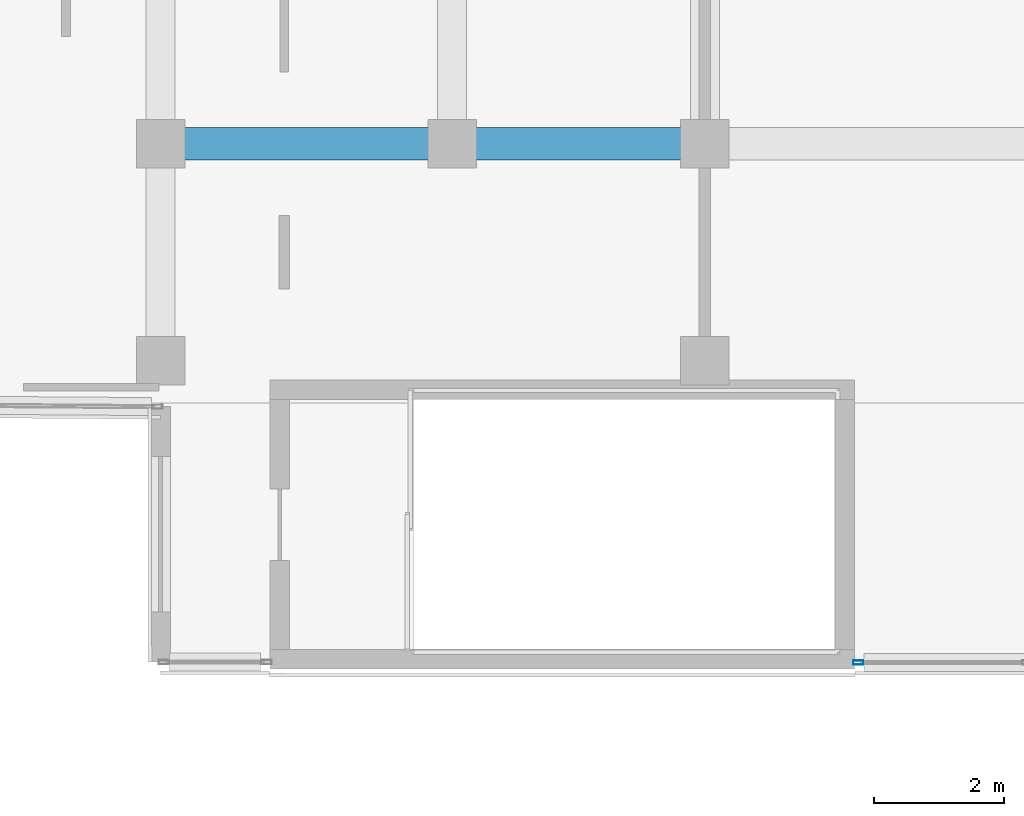
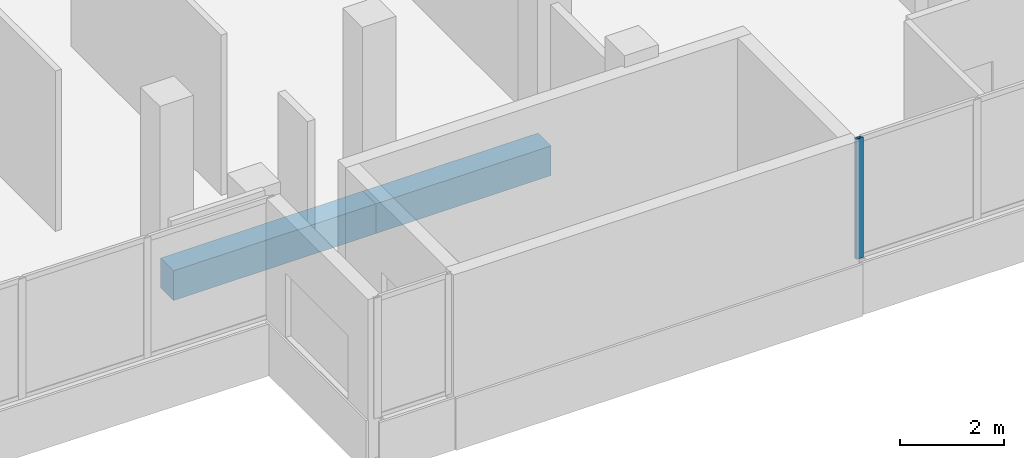
# One storey, part 22 of 101: 2 beams, 1 member, 1 element without a shape of its own.
"""IFC4 building model written with IfcOpenShell, lengths in metres."""

from ifc_helpers import new_model, si_unit, direction, frame, origin, origin_2d, place, context, subcontext, project, spatial, rectangle, hollow_rectangle, extrude, material, material_profile, profile_set, type_object, element, aggregate, save


model = new_model("IFC4")

# Units and contexts
model_context = context("Model", 3, precision=1e-05, world=origin(), true_north=direction((0.0, 1.0)))
body_context = subcontext(model_context, "Body", "Model", "MODEL_VIEW")
ifc_project = project(units=[si_unit("LENGTHUNIT", "METRE"), si_unit("AREAUNIT", "SQUARE_METRE"), si_unit("VOLUMEUNIT", "CUBIC_METRE"), si_unit("PLANEANGLEUNIT", "RADIAN"), si_unit("MASSUNIT", "GRAM", prefix="KILO")], contexts=[model_context])

# Site, building, storey
site_placement = place(None, origin())
site = spatial("IfcSite", under=ifc_project, at=site_placement, CompositionType="ELEMENT")
building_placement = place(site_placement, origin())
building = spatial("IfcBuilding", under=site, at=building_placement, Name="Selatvlak General Hospital", CompositionType="ELEMENT")
storey_placement = place(building_placement, frame((0.0, 0.0, 19.199951171875)))
storey = spatial("IfcBuildingStorey", under=building, at=storey_placement, Name="L04", CompositionType="ELEMENT", Elevation=19.199951171875)

# Beams
ifc_material_1 = material(Name="Concrete C40/50", Category="concrete")
ifc_material_profile_1 = material_profile(ifc_material_1, rectangle(XDim=0.5, YDim=0.699951171875, at=origin_2d()), Name="RC-BM 500x700")
ifc_profile_set_1 = profile_set([ifc_material_profile_1], Name="Concrete C40/50")
beam_type = type_object("IfcBeamType", Name="BM-G03", PredefinedType="BEAM", material=ifc_profile_set_1)
beam_1_placement = place(storey_placement, frame((22.800048828125, 92.0, -0.655029296875), z_axis=(1.0, 0.0, 0.0), x_axis=(0.0, 1.0, 0.0)))
element("IfcBeam", 1, at=beam_1_placement, inside=storey, type_object=beam_type, Name="Beam BMR-L04-1554", PredefinedType="BEAM", context=body_context, shape_type="SweptSolid", body=[
    extrude(rectangle(XDim=0.5, YDim=0.699951171875, at=origin_2d()), origin(), (0.0, 0.0, 1.0), 4.5),
])
beam_2_placement = place(storey_placement, frame((27.300048828125, 92.0, -0.655029296875), z_axis=(1.0, 0.0, 0.0), x_axis=(0.0, 1.0, 0.0)))
element("IfcBeam", 2, at=beam_2_placement, inside=storey, type_object=beam_type, Name="Beam BMR-L04-1555", PredefinedType="BEAM", context=body_context, shape_type="SweptSolid", body=[
    extrude(rectangle(XDim=0.5, YDim=0.699951171875, at=origin_2d()), origin(), (0.0, 0.0, 1.0), 3.89990234375),
])

# Curtain wall, member
ifc_material_2 = material(Name="Solar-control Low-E double glazing", Category="glass")
curtain_wall_type = type_object("IfcCurtainWallType", Name="CW-CW-01", PredefinedType="USERDEFINED", material=ifc_material_2)
curtain_wall_placement = place(storey_placement, origin())
curtain_wall = element("IfcCurtainWall", 3, at=curtain_wall_placement, inside=storey, type_object=curtain_wall_type, Name="Glazed facade curtain wall CW-L04-0516", ObjectType="UNITISED CURTAIN WALL", PredefinedType="USERDEFINED")
ifc_material_3 = material(Name="Dark anodised aluminium mullion", Category="aluminium")
ifc_material_profile_2 = material_profile(ifc_material_3, hollow_rectangle(XDim=0.06494140625, YDim=0.159912109375, WallThickness=0.00390625, at=origin_2d()), Name="AL-MUL 65x160x4")
ifc_profile_set_2 = profile_set([ifc_material_profile_2], Name="Dark anodised aluminium mullion")
member_type = type_object("IfcMemberType", Name="CWM-01", PredefinedType="MULLION", material=ifc_profile_set_2)
member_placement = place(storey_placement, frame((33.5673828125, 83.992919921875, 0.93994140625), z_axis=(0.0, 0.0, 1.0), x_axis=(-0.000630675957, -0.999999801124, 0.0)))
member = element("IfcMember", 4, at=member_placement, type_object=member_type, Name="CW-01 mullion 4", PredefinedType="MULLION", context=body_context, shape_type="SweptSolid", body=[
    extrude(hollow_rectangle(XDim=0.06494140625, YDim=0.159912109375, WallThickness=0.00390625, at=origin_2d()), origin(), (0.0, 0.0, 1.0), 2.830078125),
])
aggregate(curtain_wall, [member])

save(model, "model.ifc")
